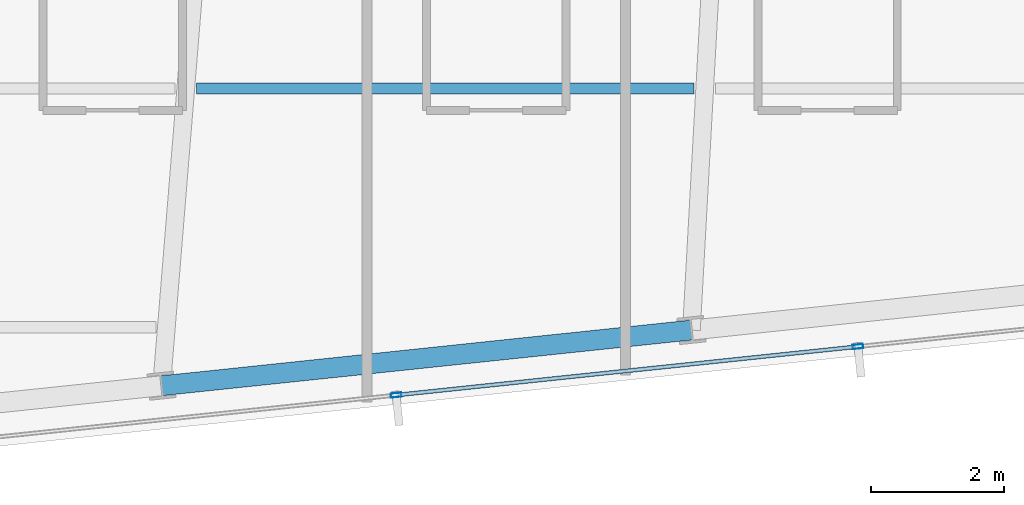
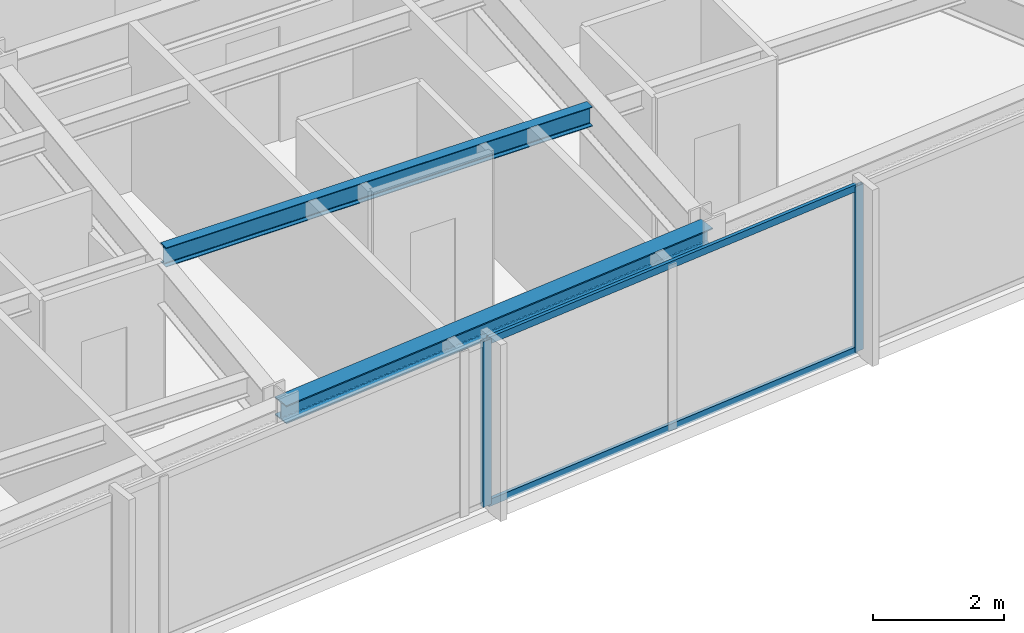
# One storey, part 14 of 33: 4 members, 2 beams, 1 element without a shape of its own.
"""IFC4 building model written with IfcOpenShell, lengths in metres."""

from ifc_helpers import new_model, si_unit, direction, frame, origin, origin_2d, place, context, subcontext, project, spatial, hollow_rectangle, i_section, extrude, material, material_profile, profile_set, type_object, element, aggregate, save


model = new_model("IFC4")

# Units and contexts
model_context = context("Model", 3, precision=1e-05, world=origin(), true_north=direction((0.0, 1.0)))
body_context = subcontext(model_context, "Body", "Model", "MODEL_VIEW")
ifc_project = project(units=[si_unit("LENGTHUNIT", "METRE"), si_unit("AREAUNIT", "SQUARE_METRE"), si_unit("VOLUMEUNIT", "CUBIC_METRE"), si_unit("PLANEANGLEUNIT", "RADIAN"), si_unit("MASSUNIT", "GRAM", prefix="KILO")], contexts=[model_context])

# Site, building, storey
site_placement = place(None, origin())
site = spatial("IfcSite", under=ifc_project, at=site_placement, CompositionType="ELEMENT")
building_placement = place(site_placement, origin())
building = spatial("IfcBuilding", under=site, at=building_placement, Name="Yelkora Congress Tower", CompositionType="ELEMENT")
storey_placement = place(building_placement, frame((0.0, 0.0, 237.5)))
storey = spatial("IfcBuildingStorey", under=building, at=storey_placement, Name="L66", CompositionType="ELEMENT", Elevation=237.5)

# Beams
ifc_material_1 = material(Name="Steel S355J2", Category="steel")
ifc_material_profile_1 = material_profile(ifc_material_1, i_section(OverallWidth=0.169921875, OverallDepth=0.360107421875, WebThickness=0.008056640625, FlangeThickness=0.0126953125, FilletRadius=0.01806640625, at=origin_2d()), Name="IPE 360")
ifc_profile_set_1 = profile_set([ifc_material_profile_1], Name="Steel S355J2")
beam_type_1 = type_object("IfcBeamType", Name="BM-JOIST-IPE360", PredefinedType="JOIST", material=ifc_profile_set_1)
beam_1_placement = place(storey_placement, frame((45.791259765625, 19.678466796875, 2.89990234375), z_axis=(1.0, 0.0, 0.0), x_axis=(0.0, 1.0, 0.0)))
element("IfcBeam", 1, at=beam_1_placement, inside=storey, type_object=beam_type_1, Name="L66 Composite Floor Joist 6", PredefinedType="JOIST", context=body_context, shape_type="SweptSolid", body=[
    extrude(i_section(OverallWidth=0.169921875, OverallDepth=0.360107421875, WebThickness=0.008056640625, FlangeThickness=0.0126953125, FilletRadius=0.01806640625, at=origin_2d()), origin(), (0.0, 0.0, 1.0), 7.505126953125),
])
ifc_material_profile_2 = material_profile(ifc_material_1, i_section(OverallWidth=0.300048828125, OverallDepth=0.340087890625, WebThickness=0.011962890625, FlangeThickness=0.021484375, FilletRadius=0.027099609375, at=origin_2d()), Name="HEB 340")
ifc_profile_set_2 = profile_set([ifc_material_profile_2], Name="Steel S355J2")
beam_type_2 = type_object("IfcBeamType", Name="BM-SPAN-HEB340", PredefinedType="SPANDREL", material=ifc_profile_set_2)
beam_2_placement = place(storey_placement, frame((45.26708984375, 15.197509765625, 2.909912109375), z_axis=(0.994520097542, 0.104545567032, 0.0), x_axis=(-0.104545567032, 0.994520097542, 0.0)))
element("IfcBeam", 2, at=beam_2_placement, inside=storey, type_object=beam_type_2, Name="L66 Perimeter Beam 6", PredefinedType="SPANDREL", context=body_context, shape_type="SweptSolid", body=[
    extrude(i_section(OverallWidth=0.300048828125, OverallDepth=0.340087890625, WebThickness=0.011962890625, FlangeThickness=0.021484375, FilletRadius=0.027099609375, at=origin_2d()), origin(), (0.0, 0.0, 1.0), 8.033203125),
])

# Curtain wall, members
ifc_material_2 = material(Name="Anodised aluminium and insulated glass", Category="aluminium")
curtain_wall_type = type_object("IfcCurtainWallType", Name="CW-SYS-B4", PredefinedType="NOTDEFINED", material=ifc_material_2)
curtain_wall_placement = place(storey_placement, origin())
curtain_wall = element("IfcCurtainWall", 3, at=curtain_wall_placement, inside=storey, type_object=curtain_wall_type, Name="L66 Unitised Curtain Wall 20", PredefinedType="NOTDEFINED")
ifc_material_3 = material(Name="Anodised aluminium 6063-T6", Category="aluminium")
ifc_material_profile_3 = material_profile(ifc_material_3, hollow_rectangle(XDim=0.06494140625, YDim=0.159912109375, WallThickness=0.00390625, at=origin_2d()), Name="ALU 65x160x4")
ifc_profile_set_3 = profile_set([ifc_material_profile_3], Name="Anodised aluminium 6063-T6")
member_type_1 = type_object("IfcMemberType", Name="MEM-ML-B4", PredefinedType="MULLION", material=ifc_profile_set_3)
member_1_placement = place(storey_placement, frame((55.76708984375, 15.788330078125, 0.0), z_axis=(0.0, 0.0, 1.0), x_axis=(0.104526664994, -0.994522084373, 0.0)))
member_1 = element("IfcMember", 4, at=member_1_placement, type_object=member_type_1, Name="CW-B4 mullion 3", PredefinedType="MULLION", context=body_context, shape_type="SweptSolid", body=[
    extrude(hollow_rectangle(XDim=0.06494140625, YDim=0.159912109375, WallThickness=0.00390625, at=origin_2d()), origin(), (0.0, 0.0, 1.0), 3.080078125),
])
member_2_placement = place(storey_placement, frame((48.802490234375, 15.056396484375, 0.0), z_axis=(0.0, 0.0, 1.0), x_axis=(0.104526664994, -0.994522084373, 0.0)))
member_2 = element("IfcMember", 5, at=member_2_placement, type_object=member_type_1, Name="CW-B4 mullion 4", PredefinedType="MULLION", context=body_context, shape_type="SweptSolid", body=[
    extrude(hollow_rectangle(XDim=0.06494140625, YDim=0.159912109375, WallThickness=0.00390625, at=origin_2d()), origin(), (0.0, 0.0, 1.0), 3.080078125),
])
ifc_material_profile_4 = material_profile(ifc_material_3, hollow_rectangle(XDim=0.06005859375, YDim=0.1298828125, WallThickness=0.00390625, at=origin_2d()), Name="ALU 60x130x4")
ifc_profile_set_4 = profile_set([ifc_material_profile_4], Name="Anodised aluminium 6063-T6")
member_type_2 = type_object("IfcMemberType", Name="MEM-TR-B4", PredefinedType="USERDEFINED", material=ifc_profile_set_4)
member_3_placement = place(storey_placement, frame((55.73486328125, 15.784912109375, 0.030029296875), z_axis=(-0.99452356298, -0.104512595784, 0.0), x_axis=(0.104512595784, -0.99452356298, 0.0)))
member_3 = element("IfcMember", 6, at=member_3_placement, type_object=member_type_2, Name="CW-B4 transom 3.1", ObjectType="TRANSOM", PredefinedType="USERDEFINED", context=body_context, shape_type="SweptSolid", body=[
    extrude(hollow_rectangle(XDim=0.06005859375, YDim=0.1298828125, WallThickness=0.00390625, at=origin_2d()), origin(), (0.0, 0.0, 1.0), 6.93798828125),
])
member_4_placement = place(storey_placement, frame((55.73486328125, 15.784912109375, 3.050048828125), z_axis=(-0.99452356298, -0.104512595784, 0.0), x_axis=(0.104512595784, -0.99452356298, 0.0)))
member_4 = element("IfcMember", 7, at=member_4_placement, type_object=member_type_2, Name="CW-B4 transom 3.2", ObjectType="TRANSOM", PredefinedType="USERDEFINED", context=body_context, shape_type="SweptSolid", body=[
    extrude(hollow_rectangle(XDim=0.06005859375, YDim=0.1298828125, WallThickness=0.00390625, at=origin_2d()), origin(), (0.0, 0.0, 1.0), 6.93798828125),
])
aggregate(curtain_wall, [member_1, member_2, member_3, member_4])

save(model, "model.ifc")
